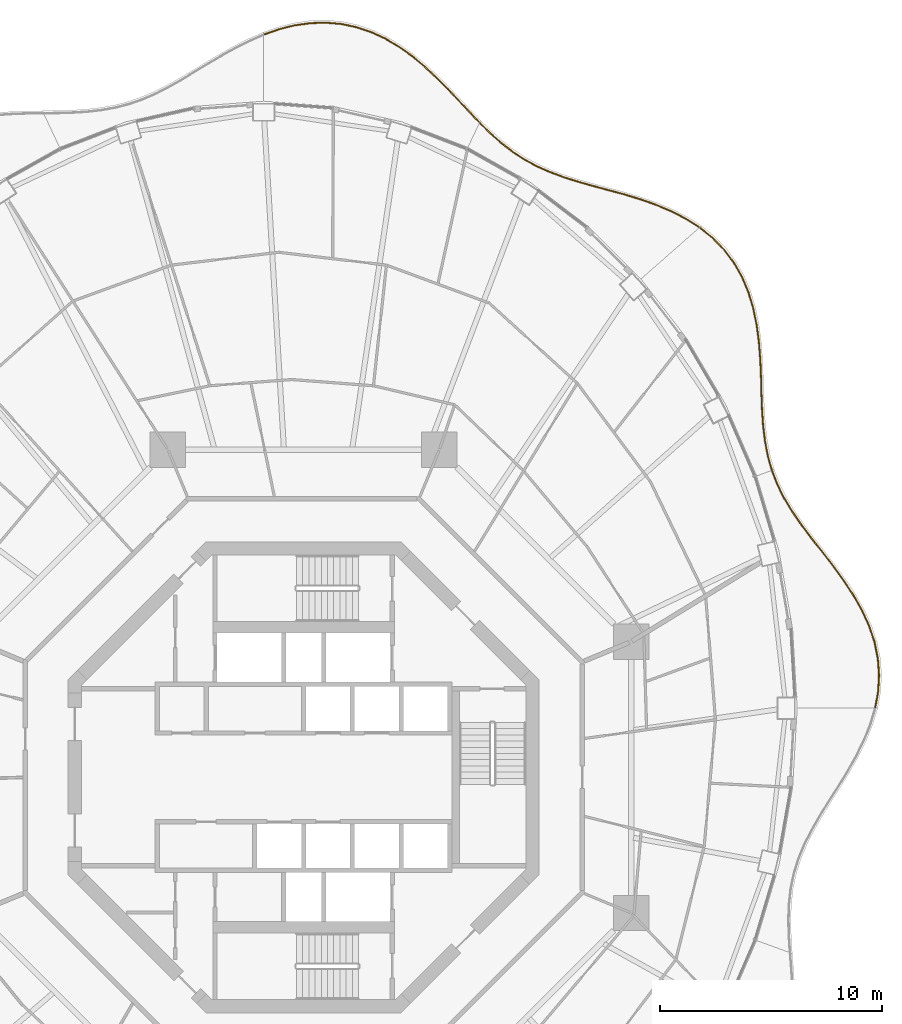
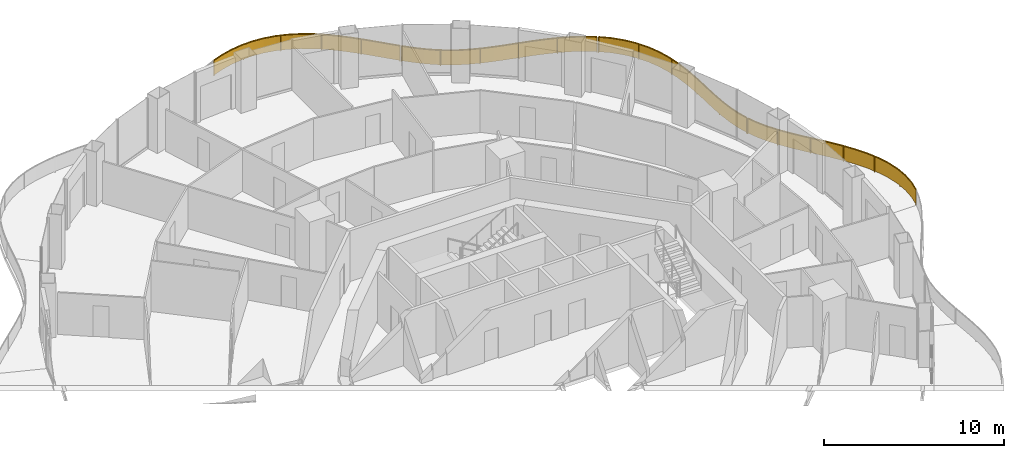
# One storey, part 18 of 18: 4 railings.
"""IFC4 building model written with IfcOpenShell, lengths in metres."""

from ifc_helpers import new_model, si_unit, direction, frame, origin, origin_2d, place, context, subcontext, project, spatial, polyline, rectangle, outline, extrude, material, type_object, element, save


model = new_model("IFC4")

# Units and contexts
model_context = context("Model", 3, precision=1e-05, world=origin(), true_north=direction((0.0, 1.0)))
body_context = subcontext(model_context, "Body", "Model", "MODEL_VIEW")
ifc_project = project(units=[si_unit("LENGTHUNIT", "METRE"), si_unit("AREAUNIT", "SQUARE_METRE"), si_unit("VOLUMEUNIT", "CUBIC_METRE"), si_unit("PLANEANGLEUNIT", "RADIAN"), si_unit("MASSUNIT", "GRAM", prefix="KILO")], contexts=[model_context])

# Site, building, storey
site_placement = place(None, origin())
site = spatial("IfcSite", under=ifc_project, at=site_placement, CompositionType="ELEMENT")
building_placement = place(site_placement, origin())
building = spatial("IfcBuilding", under=site, at=building_placement, Name="Nagisa Residences", CompositionType="ELEMENT")
storey_placement = place(building_placement, frame((0.0, 0.0, 215.89990234375)))
storey = spatial("IfcBuildingStorey", under=building, at=storey_placement, Name="L54", CompositionType="ELEMENT", Elevation=215.89990234375)

# Railings
ifc_material = material(Name="Stainless steel 316", Category="steel")
railing_type = type_object("IfcRailingType", Name="BALCONY GUARD 1100", PredefinedType="BALUSTRADE", material=ifc_material)
railing_1_placement = place(storey_placement, frame((25.79296875, 3.15576171875, 0.0)))
element("IfcRailing", 1, at=railing_1_placement, inside=storey, type_object=railing_type, Name="guard:L54:bal00-0", PredefinedType="BALUSTRADE", context=body_context, shape_type="SweptSolid", body=[
    extrude(outline(polyline([(0.10400390625, 0.707275390625), (-0.024658203125, 0.00439453125), (0.024658203125, -0.00439453125), (0.15380859375, 0.701416015625), (0.196044921875, 1.45654296875), (0.140625, 2.208740234375), (-0.011474609375, 2.952392578125), (-0.25439453125, 3.68212890625), (-0.576171875, 4.38037109375), (-0.966552734375, 5.071533203125), (-1.407958984375, 5.741455078125), (-1.881103515625, 6.390380859375), (-2.367431640625, 7.021484375), (-2.8447265625, 7.62451171875), (-3.3017578125, 8.232177734375), (-3.72021484375, 8.837890625), (-4.088134765625, 9.447509765625), (-4.39794921875, 10.069091796875), (-4.631103515625, 10.671142578125), (-4.677978515625, 10.653076171875), (-4.44384765625, 10.049072265625), (-4.132080078125, 9.423583984375), (-3.76220703125, 8.810546875), (-3.34228515625, 8.202880859375), (-2.88427734375, 7.59375), (-2.406982421875, 6.99072265625), (-1.921142578125, 6.360595703125), (-1.448974609375, 5.713134765625), (-1.009521484375, 5.045654296875), (-0.62060546875, 4.357421875), (-0.30078125, 3.66357421875), (-0.059814453125, 2.939208984375), (0.0908203125, 2.201904296875), (0.145751953125, 1.4560546875), (0.10400390625, 0.707275390625)])), frame((0.0, 0.0, 1.050048828125)), (0.0, 0.0, 1.0), 0.050048828125),
    extrude(outline(polyline([(0.121826171875, 0.705078125), (-0.0068359375, 0.001220703125), (0.0068359375, -0.001220703125), (0.135986328125, 0.70361328125), (0.177978515625, 1.456298828125), (0.12255859375, 2.206298828125), (-0.02880859375, 2.947509765625), (-0.27099609375, 3.675537109375), (-0.592041015625, 4.3720703125), (-0.982177734375, 5.062255859375), (-1.422607421875, 5.731201171875), (-1.8955078125, 6.379638671875), (-2.381591796875, 7.010498046875), (-2.85888671875, 7.613525390625), (-3.31640625, 8.2216796875), (-3.7353515625, 8.828125), (-4.10400390625, 9.43896484375), (-4.41455078125, 10.06201171875), (-4.64794921875, 10.66455078125), (-4.6611328125, 10.65966796875), (-4.42724609375, 10.05615234375), (-4.1162109375, 9.43212890625), (-3.7470703125, 8.8203125), (-3.32763671875, 8.21337890625), (-2.8701171875, 7.604736328125), (-2.392822265625, 7.001708984375), (-1.90673828125, 6.371337890625), (-1.434326171875, 5.723388671875), (-0.993896484375, 5.054931640625), (-0.604736328125, 4.36572265625), (-0.2841796875, 3.670166015625), (-0.04248046875, 2.944091796875), (0.10888671875, 2.204345703125), (0.163818359375, 1.456298828125), (0.121826171875, 0.705078125)])), frame((0.0, 0.0, 0.06005859375)), (0.0, 0.0, 1.0), 0.989990234375),
    extrude(rectangle(XDim=0.0400390625, YDim=0.0400390625, at=origin_2d()), origin(), (0.0, 0.0, 1.0), 1.050048828125),
    extrude(rectangle(XDim=0.0400390625, YDim=0.0400390625, at=origin_2d()), frame((0.131591796875, 1.98974609375, 0.0)), (0.0, 0.0, 1.0), 1.050048828125),
    extrude(rectangle(XDim=0.0400390625, YDim=0.0400390625, at=origin_2d()), frame((-0.388916015625, 3.91455078125, 0.0)), (0.0, 0.0, 1.0), 1.050048828125),
    extrude(rectangle(XDim=0.0400390625, YDim=0.0400390625, at=origin_2d()), frame((-1.37939453125, 5.653076171875, 0.0)), (0.0, 0.0, 1.0), 1.050048828125),
    extrude(rectangle(XDim=0.0400390625, YDim=0.0400390625, at=origin_2d()), frame((-2.583740234375, 7.25439453125, 0.0)), (0.0, 0.0, 1.0), 1.050048828125),
    extrude(rectangle(XDim=0.0400390625, YDim=0.0400390625, at=origin_2d()), frame((-3.768798828125, 8.869873046875, 0.0)), (0.0, 0.0, 1.0), 1.050048828125),
    extrude(rectangle(XDim=0.0400390625, YDim=0.0400390625, at=origin_2d()), frame((-4.654541015625, 10.662109375, 0.0)), (0.0, 0.0, 1.0), 1.050048828125),
])
railing_2_placement = place(storey_placement, frame((21.116943359375, 13.883056640625, 0.0)))
element("IfcRailing", 2, at=railing_2_placement, inside=storey, type_object=railing_type, Name="guard:L54:bal01-0", PredefinedType="BALUSTRADE", context=body_context, shape_type="SweptSolid", body=[
    extrude(outline(polyline([(-0.195068359375, 0.598388671875), (-0.024169921875, -0.0068359375), (0.024169921875, 0.0068359375), (-0.146240234375, 0.610107421875), (-0.27490234375, 1.277587890625), (-0.3583984375, 1.972412109375), (-0.407958984375, 2.69384765625), (-0.43701171875, 3.439208984375), (-0.453857421875, 4.19091796875), (-0.48828125, 4.96826171875), (-0.548828125, 5.749755859375), (-0.65087890625, 6.525390625), (-0.80712890625, 7.284912109375), (-1.02099609375, 8.006103515625), (-1.314208984375, 8.700439453125), (-1.6845703125, 9.34912109375), (-2.132080078125, 9.944091796875), (-2.653564453125, 10.4794921875), (-3.2060546875, 10.922119140625), (-3.2373046875, 10.883056640625), (-2.687255859375, 10.4423828125), (-2.170166015625, 9.911376953125), (-1.7265625, 9.32177734375), (-1.359130859375, 8.677978515625), (-1.068359375, 7.989013671875), (-0.85595703125, 7.272705078125), (-0.7001953125, 6.51708984375), (-0.5986328125, 5.744384765625), (-0.5380859375, 4.96533203125), (-0.503662109375, 4.189453125), (-0.48681640625, 3.437744140625), (-0.457763671875, 2.69091796875), (-0.408203125, 1.967529296875), (-0.32421875, 1.269775390625), (-0.195068359375, 0.598388671875)])), frame((0.0, 0.0, 1.050048828125)), (0.0, 0.0, 1.0), 0.050048828125),
    extrude(outline(polyline([(-0.177490234375, 0.6025390625), (-0.0068359375, -0.001953125), (0.0068359375, 0.001953125), (-0.163818359375, 0.60595703125), (-0.292724609375, 1.274658203125), (-0.376220703125, 1.970703125), (-0.42578125, 2.69287109375), (-0.454833984375, 3.438720703125), (-0.4716796875, 4.1904296875), (-0.506103515625, 4.96728515625), (-0.566650390625, 5.747802734375), (-0.668701171875, 6.5224609375), (-0.82470703125, 7.280517578125), (-1.0380859375, 8.0), (-1.330322265625, 8.6923828125), (-1.69970703125, 9.33935546875), (-2.145751953125, 9.932373046875), (-2.665771484375, 10.466064453125), (-3.21728515625, 10.907958984375), (-3.22607421875, 10.897216796875), (-2.675048828125, 10.455810546875), (-2.156494140625, 9.923095703125), (-1.71142578125, 9.33154296875), (-1.343017578125, 8.68603515625), (-1.05126953125, 7.9951171875), (-0.83837890625, 7.277099609375), (-0.682373046875, 6.52001953125), (-0.580810546875, 5.746337890625), (-0.520263671875, 4.96630859375), (-0.48583984375, 4.18994140625), (-0.468994140625, 3.438232421875), (-0.43994140625, 2.69189453125), (-0.390380859375, 1.96923828125), (-0.306396484375, 1.272705078125), (-0.177490234375, 0.6025390625)])), frame((0.0, 0.0, 0.06005859375)), (0.0, 0.0, 1.0), 0.989990234375),
    extrude(rectangle(XDim=0.0400390625, YDim=0.0400390625, at=origin_2d()), origin(), (0.0, 0.0, 1.0), 1.050048828125),
    extrude(rectangle(XDim=0.0400390625, YDim=0.0400390625, at=origin_2d()), frame((-0.406982421875, 2.315185546875, 0.0)), (0.0, 0.0, 1.0), 1.050048828125),
    extrude(rectangle(XDim=0.0400390625, YDim=0.0400390625, at=origin_2d()), frame((-0.5, 4.669921875, 0.0)), (0.0, 0.0, 1.0), 1.050048828125),
    extrude(rectangle(XDim=0.0400390625, YDim=0.0400390625, at=origin_2d()), frame((-0.775634765625, 7.007080078125, 0.0)), (0.0, 0.0, 1.0), 1.050048828125),
    extrude(rectangle(XDim=0.0400390625, YDim=0.0400390625, at=origin_2d()), frame((-1.623779296875, 9.192138671875, 0.0)), (0.0, 0.0, 1.0), 1.050048828125),
    extrude(rectangle(XDim=0.0400390625, YDim=0.0400390625, at=origin_2d()), frame((-3.2216796875, 10.902587890625, 0.0)), (0.0, 0.0, 1.0), 1.050048828125),
])
railing_3_placement = place(storey_placement, frame((17.83203125, 24.830322265625, 0.0)))
element("IfcRailing", 3, at=railing_3_placement, inside=storey, type_object=railing_type, Name="guard:L54:bal02-0", PredefinedType="BALUSTRADE", context=body_context, shape_type="SweptSolid", body=[
    extrude(outline(polyline([(-0.587646484375, 0.34423828125), (-0.013427734375, -0.02099609375), (0.013427734375, 0.02099609375), (-0.562744140625, 0.3876953125), (-1.220947265625, 0.72802734375), (-1.9111328125, 1.020263671875), (-2.62158203125, 1.271484375), (-3.34033203125, 1.491455078125), (-4.0439453125, 1.68017578125), (-4.747314453125, 1.8701171875), (-5.429931640625, 2.062744140625), (-6.08544921875, 2.269775390625), (-6.7099609375, 2.501220703125), (-7.2890625, 2.75732421875), (-7.850830078125, 3.06298828125), (-8.385498046875, 3.413330078125), (-8.898193359375, 3.809326171875), (-9.39501953125, 4.25), (-9.851806640625, 4.69970703125), (-9.886962890625, 4.6640625), (-9.42919921875, 4.21337890625), (-8.929931640625, 3.770751953125), (-8.414794921875, 3.372314453125), (-7.876708984375, 3.02001953125), (-7.31103515625, 2.71240234375), (-6.72900390625, 2.454833984375), (-6.1015625, 2.222412109375), (-5.444091796875, 2.014892578125), (-4.760498046875, 1.82177734375), (-4.05712890625, 1.6318359375), (-3.35400390625, 1.443115234375), (-2.63720703125, 1.22412109375), (-1.92919921875, 0.973388671875), (-1.242431640625, 0.6826171875), (-0.587646484375, 0.34423828125)])), frame((0.0, 0.0, 1.050048828125)), (0.0, 0.0, 1.0), 0.050048828125),
    extrude(outline(polyline([(-0.57861328125, 0.35986328125), (-0.003662109375, -0.005859375), (0.003662109375, 0.005859375), (-0.57177734375, 0.3720703125), (-1.228759765625, 0.711669921875), (-1.917724609375, 1.00341796875), (-2.627197265625, 1.25439453125), (-3.34521484375, 1.47412109375), (-4.048828125, 1.662841796875), (-4.751953125, 1.852783203125), (-5.43505859375, 2.04541015625), (-6.09130859375, 2.252685546875), (-6.716796875, 2.484619140625), (-7.296875, 2.7412109375), (-7.860107421875, 3.047607421875), (-8.39599609375, 3.3984375), (-8.90966796875, 3.79541015625), (-9.4072265625, 4.23681640625), (-9.864501953125, 4.686767578125), (-9.874267578125, 4.677001953125), (-9.4169921875, 4.2265625), (-8.91845703125, 3.78466796875), (-8.404296875, 3.38720703125), (-7.867431640625, 3.035400390625), (-7.30322265625, 2.728515625), (-6.72216796875, 2.471435546875), (-6.095703125, 2.239501953125), (-5.43896484375, 2.0322265625), (-4.755859375, 1.839111328125), (-4.05224609375, 1.649169921875), (-3.34912109375, 1.46044921875), (-2.631591796875, 1.2412109375), (-1.922607421875, 0.990234375), (-1.234619140625, 0.698974609375), (-0.57861328125, 0.35986328125)])), frame((0.0, 0.0, 0.06005859375)), (0.0, 0.0, 1.0), 0.989990234375),
    extrude(rectangle(XDim=0.0400390625, YDim=0.0400390625, at=origin_2d()), origin(), (0.0, 0.0, 1.0), 1.050048828125),
    extrude(rectangle(XDim=0.0400390625, YDim=0.0400390625, at=origin_2d()), frame((-1.962890625, 1.011962890625, 0.0)), (0.0, 0.0, 1.0), 1.050048828125),
    extrude(rectangle(XDim=0.0400390625, YDim=0.0400390625, at=origin_2d()), frame((-4.077392578125, 1.663330078125, 0.0)), (0.0, 0.0, 1.0), 1.050048828125),
    extrude(rectangle(XDim=0.0400390625, YDim=0.0400390625, at=origin_2d()), frame((-6.201171875, 2.285888671875, 0.0)), (0.0, 0.0, 1.0), 1.050048828125),
    extrude(rectangle(XDim=0.0400390625, YDim=0.0400390625, at=origin_2d()), frame((-8.185302734375, 3.252197265625, 0.0)), (0.0, 0.0, 1.0), 1.050048828125),
    extrude(rectangle(XDim=0.0400390625, YDim=0.0400390625, at=origin_2d()), frame((-9.869384765625, 4.681884765625, 0.0)), (0.0, 0.0, 1.0), 1.050048828125),
])
railing_4_placement = place(storey_placement, frame((7.91259765625, 29.566162109375, 0.0)))
element("IfcRailing", 4, at=railing_4_placement, inside=storey, type_object=railing_type, Name="guard:L54:bal03-0", PredefinedType="BALUSTRADE", context=body_context, shape_type="SweptSolid", body=[
    extrude(outline(polyline([(-0.458251953125, 0.445068359375), (-0.01806640625, -0.017333984375), (0.01806640625, 0.017333984375), (-0.421630859375, 0.479248046875), (-0.9013671875, 0.991943359375), (-1.3955078125, 1.51318359375), (-1.90966796875, 2.030517578125), (-2.4482421875, 2.5302734375), (-2.997802734375, 2.99365234375), (-3.593017578125, 3.41748046875), (-4.216796875, 3.78466796875), (-4.866943359375, 4.08447265625), (-5.5400390625, 4.30908203125), (-6.216064453125, 4.450439453125), (-6.9169921875, 4.510009765625), (-7.62646484375, 4.486328125), (-8.3359375, 4.383544921875), (-9.038818359375, 4.20751953125), (-9.6845703125, 3.98095703125), (-9.66796875, 3.93359375), (-9.024658203125, 4.15966796875), (-8.326171875, 4.334228515625), (-7.6220703125, 4.4365234375), (-6.91845703125, 4.459716796875), (-6.223388671875, 4.400634765625), (-5.55322265625, 4.2607421875), (-4.885498046875, 4.0380859375), (-4.240234375, 3.740234375), (-3.620361328125, 3.37548828125), (-3.028564453125, 2.9541015625), (-2.4814453125, 2.49267578125), (-1.9443359375, 1.994384765625), (-1.431640625, 1.478515625), (-0.93798828125, 0.957763671875), (-0.458251953125, 0.445068359375)])), frame((0.0, 0.0, 1.050048828125)), (0.0, 0.0, 1.0), 0.050048828125),
    extrude(outline(polyline([(-0.445068359375, 0.457275390625), (-0.005126953125, -0.0048828125), (0.005126953125, 0.0048828125), (-0.434814453125, 0.467041015625), (-0.91455078125, 0.979736328125), (-1.408447265625, 1.500732421875), (-1.922119140625, 2.017578125), (-2.460205078125, 2.5166015625), (-3.0087890625, 2.9794921875), (-3.602783203125, 3.40234375), (-4.225341796875, 3.7685546875), (-4.87353515625, 4.06787109375), (-5.544921875, 4.291748046875), (-6.21875, 4.432373046875), (-6.91748046875, 4.491943359375), (-7.625, 4.468505859375), (-8.33251953125, 4.36572265625), (-9.03369140625, 4.190185546875), (-9.678466796875, 3.9638671875), (-9.674072265625, 3.95068359375), (-9.02978515625, 4.177001953125), (-8.32958984375, 4.35205078125), (-7.62353515625, 4.454345703125), (-6.91796875, 4.477783203125), (-6.220703125, 4.418701171875), (-5.54833984375, 4.278076171875), (-4.87890625, 4.0546875), (-4.231689453125, 3.75634765625), (-3.610595703125, 3.390625), (-3.017578125, 2.96826171875), (-2.469482421875, 2.50634765625), (-1.931884765625, 2.00732421875), (-1.418701171875, 1.490966796875), (-0.9248046875, 0.969970703125), (-0.445068359375, 0.457275390625)])), frame((0.0, 0.0, 0.06005859375)), (0.0, 0.0, 1.0), 0.989990234375),
    extrude(rectangle(XDim=0.0400390625, YDim=0.0400390625, at=origin_2d()), origin(), (0.0, 0.0, 1.0), 1.050048828125),
    extrude(rectangle(XDim=0.0400390625, YDim=0.0400390625, at=origin_2d()), frame((-1.55908203125, 1.64208984375, 0.0)), (0.0, 0.0, 1.0), 1.050048828125),
    extrude(rectangle(XDim=0.0400390625, YDim=0.0400390625, at=origin_2d()), frame((-3.250732421875, 3.142822265625, 0.0)), (0.0, 0.0, 1.0), 1.050048828125),
    extrude(rectangle(XDim=0.0400390625, YDim=0.0400390625, at=origin_2d()), frame((-5.24853515625, 4.185546875, 0.0)), (0.0, 0.0, 1.0), 1.050048828125),
    extrude(rectangle(XDim=0.0400390625, YDim=0.0400390625, at=origin_2d()), frame((-7.4794921875, 4.46630859375, 0.0)), (0.0, 0.0, 1.0), 1.050048828125),
    extrude(rectangle(XDim=0.0400390625, YDim=0.0400390625, at=origin_2d()), frame((-9.67626953125, 3.957275390625, 0.0)), (0.0, 0.0, 1.0), 1.050048828125),
])

save(model, "model.ifc")
